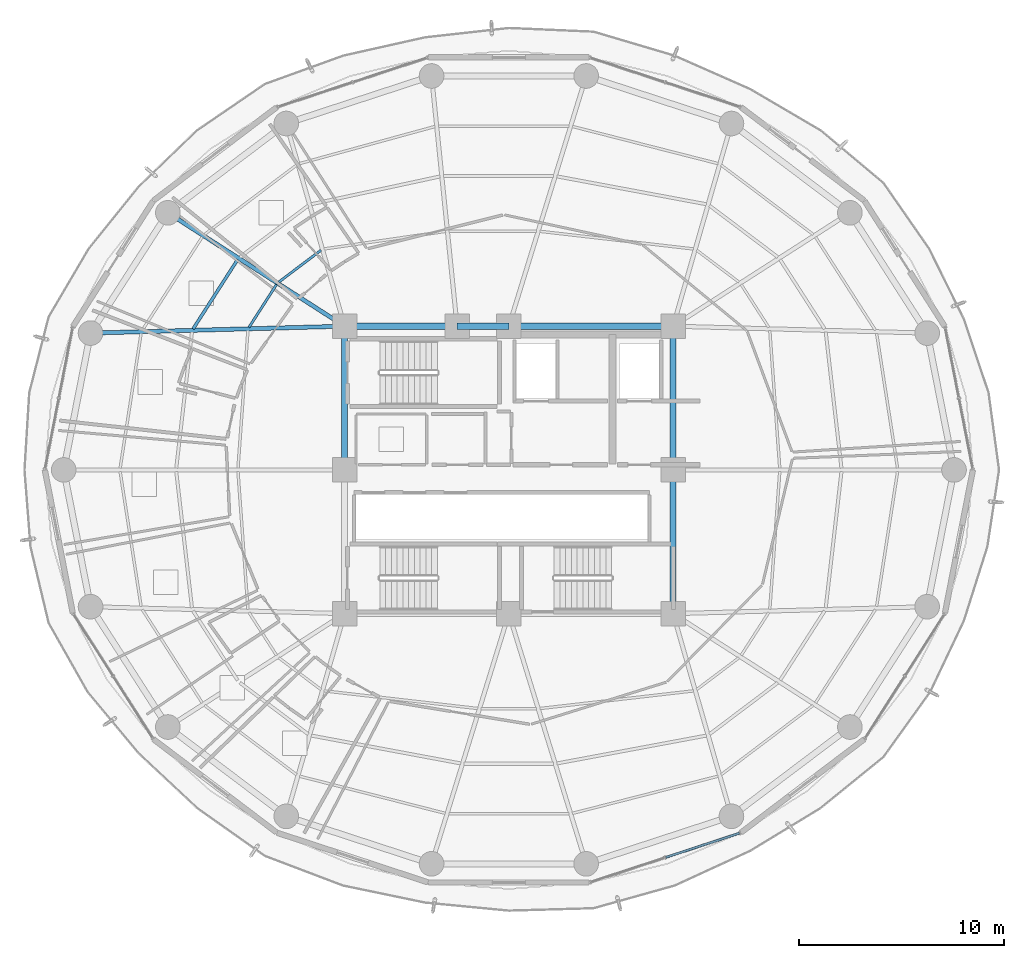
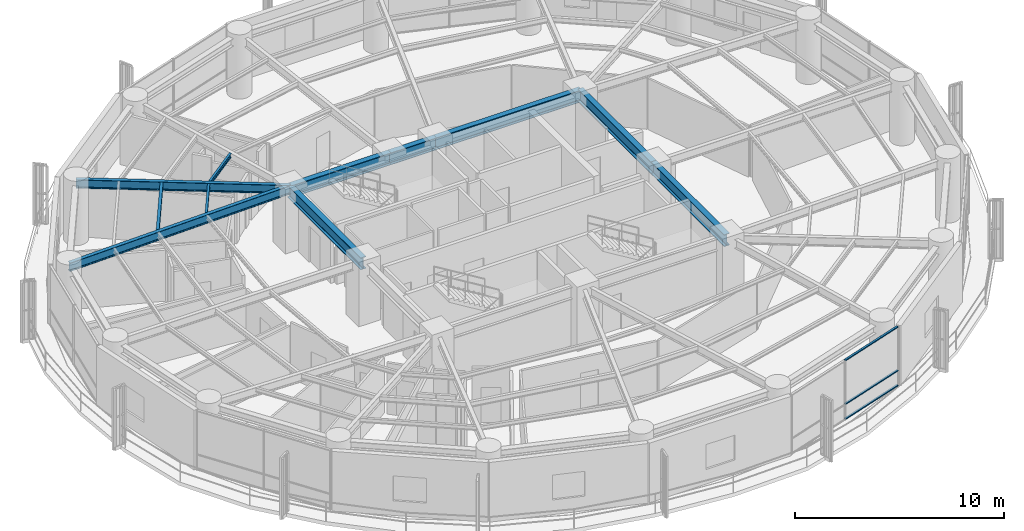
# One storey, part 9 of 28: 11 beams, 3 members, 1 element without a shape of its own.
"""IFC4 building model written with IfcOpenShell, lengths in metres."""

from ifc_helpers import new_model, si_unit, direction, frame, origin, origin_2d, place, context, subcontext, project, spatial, hollow_rectangle, i_section, extrude, material, layer, layer_set, material_profile, profile_set, type_object, element, aggregate, save


model = new_model("IFC4")

# Units and contexts
model_context = context("Model", 3, precision=1e-05, world=origin(), true_north=direction((0.0, 1.0)))
body_context = subcontext(model_context, "Body", "Model", "MODEL_VIEW")
ifc_project = project(units=[si_unit("LENGTHUNIT", "METRE"), si_unit("AREAUNIT", "SQUARE_METRE"), si_unit("VOLUMEUNIT", "CUBIC_METRE"), si_unit("PLANEANGLEUNIT", "RADIAN"), si_unit("MASSUNIT", "GRAM", prefix="KILO")], contexts=[model_context])

# Site, building, storey
site_placement = place(None, origin())
site = spatial("IfcSite", under=ifc_project, at=site_placement, CompositionType="ELEMENT")
building_placement = place(site_placement, origin())
building = spatial("IfcBuilding", under=site, at=building_placement, Name="Kelanora Arch Commons", CompositionType="ELEMENT")
storey_placement = place(building_placement, frame((0.0, 0.0, 161.85009765625)))
storey = spatial("IfcBuildingStorey", under=building, at=storey_placement, Name="L41", CompositionType="ELEMENT", Elevation=161.85009765625)

# Beams
ifc_material_1 = material(Name="Steel S355", Category="steel")
ifc_material_profile_1 = material_profile(ifc_material_1, i_section(OverallWidth=0.300048828125, OverallDepth=0.699951171875, WebThickness=0.01708984375, FlangeThickness=0.031982421875, FilletRadius=0.027099609375, at=origin_2d()), Name="HEB700")
ifc_profile_set_1 = profile_set([ifc_material_profile_1], Name="Steel S355")
beam_type_1 = type_object("IfcBeamType", Name="BM-CORE-HDR", PredefinedType="BEAM", material=ifc_profile_set_1)
for number, where, z_axis, x_axis, name in (
    (1, (82.0, 51.0, 3.139892578125), (0.0, 1.0, 0.0), (-1.0, 0.0, 0.0), "Core Header Beam 03 L41"),
    (2, (82.0, 58.0, 3.139892578125), (0.0, 1.0, 0.0), (-1.0, 0.0, 0.0), "Core Header Beam 04 L41"),
):
    element("IfcBeam", number, at=place(storey_placement, frame(where, z_axis=z_axis, x_axis=x_axis)), inside=storey, type_object=beam_type_1, Name=name, PredefinedType="BEAM", context=body_context, shape_type="SweptSolid", body=[
        extrude(i_section(OverallWidth=0.300048828125, OverallDepth=0.699951171875, WebThickness=0.01708984375, FlangeThickness=0.031982421875, FilletRadius=0.027099609375, at=origin_2d()), origin(), (0.0, 0.0, 1.0), 7.0),
    ])
beam_1_placement = place(storey_placement, frame((82.0, 65.0, 3.139892578125), z_axis=(-1.0, 0.0, 0.0), x_axis=(0.0, -1.0, 0.0)))
element("IfcBeam", 3, at=beam_1_placement, inside=storey, type_object=beam_type_1, Name="Core Header Beam 05 L41", PredefinedType="BEAM", context=body_context, shape_type="SweptSolid", body=[
    extrude(i_section(OverallWidth=0.300048828125, OverallDepth=0.699951171875, WebThickness=0.01708984375, FlangeThickness=0.031982421875, FilletRadius=0.027099609375, at=origin_2d()), origin(), (0.0, 0.0, 1.0), 8.0),
])
beam_2_placement = place(storey_placement, frame((74.0, 65.0, 3.139892578125), z_axis=(-1.0, 0.0, 0.0), x_axis=(0.0, -1.0, 0.0)))
element("IfcBeam", 4, at=beam_2_placement, inside=storey, type_object=beam_type_1, Name="Core Header Beam 06 L41", PredefinedType="BEAM", context=body_context, shape_type="SweptSolid", body=[
    extrude(i_section(OverallWidth=0.300048828125, OverallDepth=0.699951171875, WebThickness=0.01708984375, FlangeThickness=0.031982421875, FilletRadius=0.027099609375, at=origin_2d()), origin(), (0.0, 0.0, 1.0), 2.52001953125),
])
beam_3_placement = place(storey_placement, frame((71.47998046875, 65.0, 3.139892578125), z_axis=(-1.0, 0.0, 0.0), x_axis=(0.0, -1.0, 0.0)))
element("IfcBeam", 5, at=beam_3_placement, inside=storey, type_object=beam_type_1, Name="Core Header Beam 07 L41", PredefinedType="BEAM", context=body_context, shape_type="SweptSolid", body=[
    extrude(i_section(OverallWidth=0.300048828125, OverallDepth=0.699951171875, WebThickness=0.01708984375, FlangeThickness=0.031982421875, FilletRadius=0.027099609375, at=origin_2d()), origin(), (0.0, 0.0, 1.0), 5.47998046875),
])
beam_4_placement = place(storey_placement, frame((66.0, 65.0, 3.139892578125), z_axis=(0.0, -1.0, 0.0), x_axis=(1.0, 0.0, 0.0)))
element("IfcBeam", 6, at=beam_4_placement, inside=storey, type_object=beam_type_1, Name="Core Header Beam 08 L41", PredefinedType="BEAM", context=body_context, shape_type="SweptSolid", body=[
    extrude(i_section(OverallWidth=0.300048828125, OverallDepth=0.699951171875, WebThickness=0.01708984375, FlangeThickness=0.031982421875, FilletRadius=0.027099609375, at=origin_2d()), origin(), (0.0, 0.0, 1.0), 7.0),
])
ifc_material_profile_2 = material_profile(ifc_material_1, i_section(OverallWidth=0.14990234375, OverallDepth=0.300048828125, WebThickness=0.007080078125, FlangeThickness=0.0107421875, FilletRadius=0.014892578125, at=origin_2d()), Name="IPE300")
ifc_profile_set_2 = profile_set([ifc_material_profile_2], Name="Steel S355")
beam_type_2 = type_object("IfcBeamType", Name="BM-JST-01", PredefinedType="JOIST", material=ifc_profile_set_2)
beam_5_placement = place(storey_placement, frame((60.789306640625, 68.241455078125, 3.33984375), z_axis=(-0.540594434398, -0.841283339606, 0.0), x_axis=(0.841283339606, -0.540594434398, 0.0)))
element("IfcBeam", 7, at=beam_5_placement, inside=storey, type_object=beam_type_2, Name="Secondary Chord Joist BJB-14 L41", PredefinedType="JOIST", context=body_context, shape_type="SweptSolid", body=[
    extrude(i_section(OverallWidth=0.14990234375, OverallDepth=0.300048828125, WebThickness=0.007080078125, FlangeThickness=0.0107421875, FilletRadius=0.014892578125, at=origin_2d()), origin(), (0.0, 0.0, 1.0), 4.008544921875),
])
ifc_material_profile_3 = material_profile(ifc_material_1, i_section(OverallWidth=0.1201171875, OverallDepth=0.239990234375, WebThickness=0.006103515625, FlangeThickness=0.009765625, FilletRadius=0.014892578125, at=origin_2d()), Name="IPE240")
ifc_profile_set_3 = profile_set([ifc_material_profile_3], Name="Steel S355")
beam_type_3 = type_object("IfcBeamType", Name="BM-JST-02", PredefinedType="JOIST", material=ifc_profile_set_3)
beam_6_placement = place(storey_placement, frame((64.852783203125, 68.699462890625, 3.369873046875), z_axis=(-0.798484118859, -0.602015873487, 0.0), x_axis=(0.602015873487, -0.798484118859, 0.0)))
element("IfcBeam", 8, at=beam_6_placement, inside=storey, type_object=beam_type_3, Name="Secondary Chord Joist BJA-12 L41", PredefinedType="JOIST", context=body_context, shape_type="SweptSolid", body=[
    extrude(i_section(OverallWidth=0.1201171875, OverallDepth=0.239990234375, WebThickness=0.006103515625, FlangeThickness=0.009765625, FilletRadius=0.014892578125, at=origin_2d()), origin(), (0.0, 0.0, 1.0), 2.57470703125),
])
beam_7_placement = place(storey_placement, frame((62.68310546875, 67.026611328125, 3.369873046875), z_axis=(-0.540583174025, -0.841290575224, 0.0), x_axis=(0.841290575224, -0.540583174025, 0.0)))
element("IfcBeam", 9, at=beam_7_placement, inside=storey, type_object=beam_type_3, Name="Secondary Chord Joist BJA-14 L41", PredefinedType="JOIST", context=body_context, shape_type="SweptSolid", body=[
    extrude(i_section(OverallWidth=0.1201171875, OverallDepth=0.239990234375, WebThickness=0.006103515625, FlangeThickness=0.009765625, FilletRadius=0.014892578125, at=origin_2d()), origin(), (0.0, 0.0, 1.0), 2.476318359375),
])
ifc_material_profile_4 = material_profile(ifc_material_1, i_section(OverallWidth=0.199951171875, OverallDepth=0.5, WebThickness=0.01025390625, FlangeThickness=0.01611328125, FilletRadius=0.02099609375, at=origin_2d()), Name="IPE500")
ifc_profile_set_4 = profile_set([ifc_material_profile_4], Name="Steel S355")
beam_type_4 = type_object("IfcBeamType", Name="BM-RAD-Z3", PredefinedType="BEAM", material=ifc_profile_set_4)
beam_8_placement = place(storey_placement, frame((66.0, 65.0, 3.239990234375), z_axis=(-0.841719465748, 0.539915123868, 0.0), x_axis=(-0.539915123868, -0.841719465748, 0.0)))
element("IfcBeam", 10, at=beam_8_placement, inside=storey, type_object=beam_type_4, Name="Radial Floor Girder BR-14 L41", PredefinedType="BEAM", context=body_context, shape_type="SweptSolid", body=[
    extrude(i_section(OverallWidth=0.199951171875, OverallDepth=0.5, WebThickness=0.01025390625, FlangeThickness=0.01611328125, FilletRadius=0.02099609375, at=origin_2d()), origin(), (0.0, 0.0, 1.0), 10.2265625),
])
beam_9_placement = place(storey_placement, frame((66.0, 65.0, 3.239990234375), z_axis=(-0.999628374924, -0.027260081577, 0.0), x_axis=(0.027260081577, -0.999628374924, 0.0)))
element("IfcBeam", 11, at=beam_9_placement, inside=storey, type_object=beam_type_4, Name="Radial Floor Girder BR-16 L41", PredefinedType="BEAM", context=body_context, shape_type="SweptSolid", body=[
    extrude(i_section(OverallWidth=0.199951171875, OverallDepth=0.5, WebThickness=0.01025390625, FlangeThickness=0.01611328125, FilletRadius=0.02099609375, at=origin_2d()), origin(), (0.0, 0.0, 1.0), 12.377197265625),
])

# Curtain wall, members
ifc_material_2 = material(Name="Terracotta ceramic-fritted low-E glass and aluminium", Category="masonry")
ifc_layer = layer(ifc_material_2, 0.175048828125)
ifc_layer_set = layer_set([ifc_layer], Name="Terracotta ceramic-fritted low-E glass and aluminium")
curtain_wall_type = type_object("IfcCurtainWallType", Name="CW-SYS-02", PredefinedType="NOTDEFINED", material=ifc_layer_set)
curtain_wall_placement = place(storey_placement, origin())
curtain_wall = element("IfcCurtainWall", 12, at=curtain_wall_placement, inside=storey, type_object=curtain_wall_type, Name="Unitised Curtain Wall L41-B14", PredefinedType="NOTDEFINED")
ifc_material_3 = material(Name="Powder-coated aluminium terracotta", Category="masonry")
ifc_material_profile_5 = material_profile(ifc_material_3, hollow_rectangle(XDim=0.1201171875, YDim=0.06005859375, WallThickness=0.0048828125, InnerFilletRadius=0.0048828125, OuterFilletRadius=0.010009765625, at=origin_2d()), Name="CWT120x60")
ifc_profile_set_5 = profile_set([ifc_material_profile_5], Name="Powder-coated aluminium terracotta")
member_type = type_object("IfcMemberType", Name="CWT-STD", PredefinedType="USERDEFINED", material=ifc_profile_set_5)
member_1_placement = place(storey_placement, frame((81.640625, 39.130859375, 0.02978515625), z_axis=(0.950051191155, 0.312094111104, 0.0), x_axis=(-0.312094111104, 0.950051191155, 0.0)))
member_1 = element("IfcMember", 13, at=member_1_placement, type_object=member_type, Name="CW-02 transom 2.1", ObjectType="TRANSOM", PredefinedType="USERDEFINED", context=body_context, shape_type="SweptSolid", body=[
    extrude(hollow_rectangle(XDim=0.1201171875, YDim=0.06005859375, WallThickness=0.0048828125, InnerFilletRadius=0.0048828125, OuterFilletRadius=0.010009765625, at=origin_2d()), origin(), (0.0, 0.0, 1.0), 3.77685546875),
])
member_2_placement = place(storey_placement, frame((81.640625, 39.130859375, 0.89990234375), z_axis=(0.950051191155, 0.312094111104, 0.0), x_axis=(-0.312094111104, 0.950051191155, 0.0)))
member_2 = element("IfcMember", 14, at=member_2_placement, type_object=member_type, Name="CW-02 transom 2.2", ObjectType="TRANSOM", PredefinedType="USERDEFINED", context=body_context, shape_type="SweptSolid", body=[
    extrude(hollow_rectangle(XDim=0.1201171875, YDim=0.06005859375, WallThickness=0.0048828125, InnerFilletRadius=0.0048828125, OuterFilletRadius=0.010009765625, at=origin_2d()), origin(), (0.0, 0.0, 1.0), 3.77685546875),
])
member_3_placement = place(storey_placement, frame((81.640625, 39.130859375, 3.44482421875), z_axis=(0.950051191155, 0.312094111104, 0.0), x_axis=(-0.312094111104, 0.950051191155, 0.0)))
member_3 = element("IfcMember", 15, at=member_3_placement, type_object=member_type, Name="CW-02 transom 2.3", ObjectType="TRANSOM", PredefinedType="USERDEFINED", context=body_context, shape_type="SweptSolid", body=[
    extrude(hollow_rectangle(XDim=0.1201171875, YDim=0.06005859375, WallThickness=0.0048828125, InnerFilletRadius=0.0048828125, OuterFilletRadius=0.010009765625, at=origin_2d()), origin(), (0.0, 0.0, 1.0), 3.77685546875),
])
aggregate(curtain_wall, [member_1, member_2, member_3])

save(model, "model.ifc")
